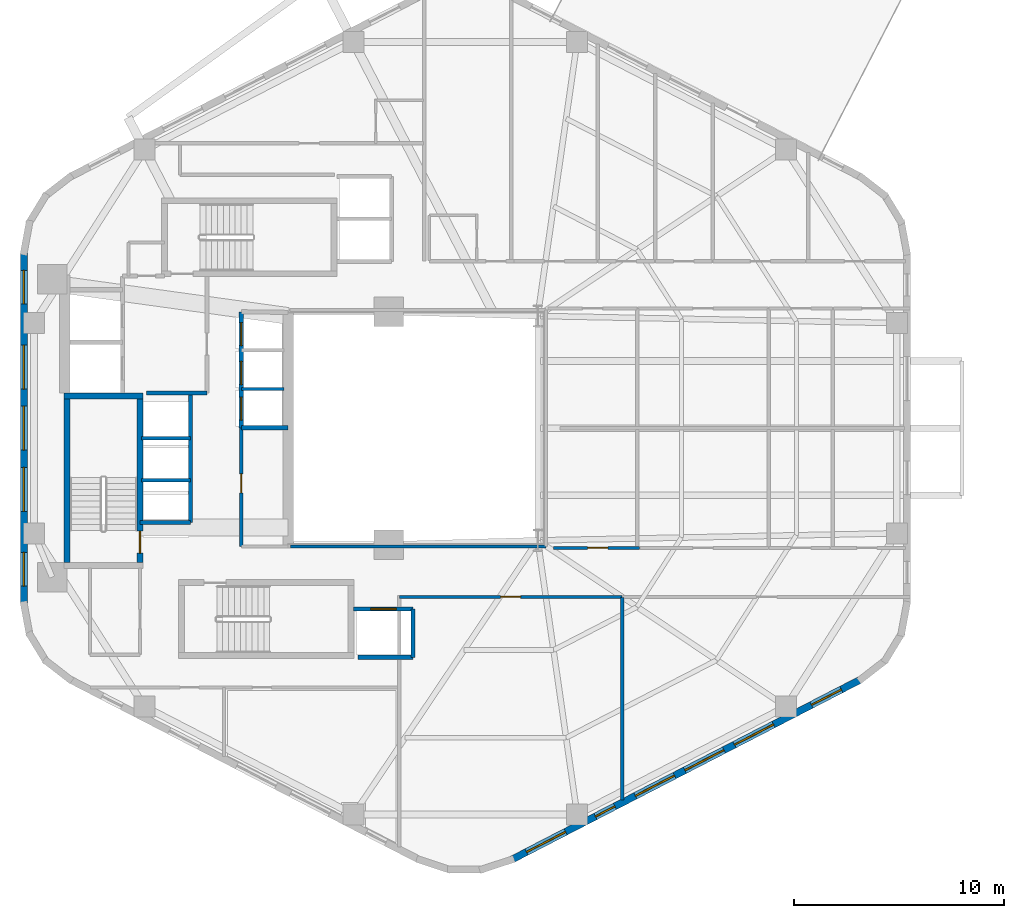
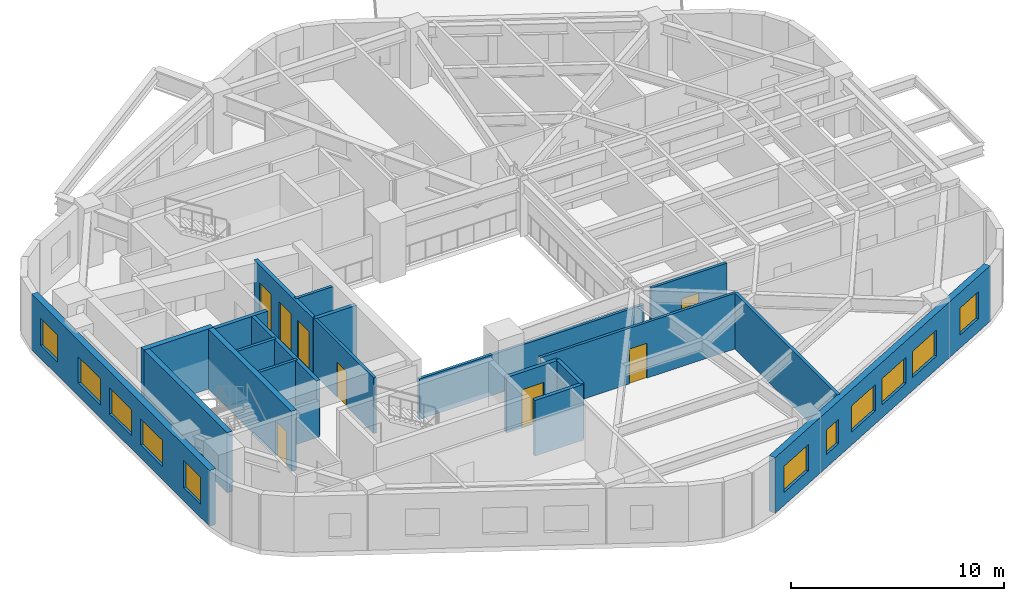
# One storey, part 3 of 8: 21 walls, 11 windows, 8 doors, 19 openings.
"""IFC4 building model written with IfcOpenShell, lengths in metres."""

from ifc_helpers import new_model, si_unit, direction, frame, frame_2d, origin, place, context, subcontext, project, spatial, rectangle, extrude, material, layer, layer_set, type_object, element, fill, save


model = new_model("IFC4")

# Units and contexts
model_context = context("Model", 3, precision=1e-05, world=origin(), true_north=direction((0.0, 1.0)))
body_context = subcontext(model_context, "Body", "Model", "MODEL_VIEW")
ifc_project = project(units=[si_unit("LENGTHUNIT", "METRE"), si_unit("AREAUNIT", "SQUARE_METRE"), si_unit("VOLUMEUNIT", "CUBIC_METRE"), si_unit("PLANEANGLEUNIT", "RADIAN"), si_unit("MASSUNIT", "GRAM", prefix="KILO"), si_unit("THERMODYNAMICTEMPERATUREUNIT", "KELVIN"), si_unit("POWERUNIT", "WATT")], contexts=[model_context])

# Site, building, storey
site_placement = place(None, origin())
site = spatial("IfcSite", under=ifc_project, at=site_placement, CompositionType="ELEMENT")
building_placement = place(site_placement, origin())
building = spatial("IfcBuilding", under=site, at=building_placement, Name="Skarre Station Tower", CompositionType="ELEMENT")
storey_placement = place(building_placement, frame((0.0, 0.0, 122.25)))
storey = spatial("IfcBuildingStorey", under=building, at=storey_placement, Name="L32", CompositionType="ELEMENT", Elevation=122.25)

# Wall, opening, door
ifc_material_1 = material(Name="Acoustic Steel-Stud Gypsum Partition", Category="steel")
ifc_layer_1 = layer(ifc_material_1, 0.14990234375, Name="Acoustic Steel-Stud Gypsum Partition")
ifc_layer_set_1 = layer_set([ifc_layer_1], Name="Acoustic Steel-Stud Gypsum Partition")
wall_type_1 = type_object("IfcWallType", Name="Fire-Rated Corridor Acoustic Partition 150", PredefinedType="PARTITIONING", material=ifc_layer_set_1)
wall_1_placement = place(storey_placement, frame((25.320068359375, 24.02001953125, 0.0), z_axis=(0.0, 0.0, 1.0), x_axis=(0.0, -1.0, 0.0)))
wall_1 = element("IfcWall", 1, at=wall_1_placement, inside=storey, type_object=wall_type_1, Name="L32 Interior Partition WL-PT-L32-RC1-W", PredefinedType="PARTITIONING", context=body_context, shape_type="SweptSolid", body=[
    extrude(rectangle(XDim=5.659912109375, YDim=0.14990234375, at=frame_2d((2.830078125, 0.0))), origin(), (0.0, 0.0, 1.0), 3.18994140625),
])
opening_1_placement = place(wall_1_placement, frame((2.199951171875, 0.0, 0.0)))
opening_1 = element("IfcOpeningElement", 2, at=opening_1_placement, cuts=wall_1, Name="Opening DR-SVC90", PredefinedType="OPENING", context=body_context, shape_type="SweptSolid", body=[
    extrude(rectangle(XDim=0.89990234375, YDim=2.0, at=frame_2d((0.449951171875, 1.0))), frame((0.0, 0.0849609375, 0.0), z_axis=(0.0, -1.0, 0.0), x_axis=(1.0, 0.0, 0.0)), (0.0, 0.0, 1.0), 0.169921875),
])
ifc_material_2 = material(Name="Powder-Coated Hollow-Metal Acoustic Fire Leaf", Category="steel")
door_type_1 = type_object("IfcDoorType", Name="Service & Riser Fire Door FD60 900x2100", OperationType="SINGLE_SWING_LEFT", PredefinedType="DOOR", material=ifc_material_2)
door_1_placement = place(opening_1_placement, origin())
door_1 = element("IfcDoor", 3, at=door_1_placement, inside=storey, type_object=door_type_1, Name="L32 Guest Pantry Door", OperationType="SINGLE_SWING_LEFT", OverallHeight=2.0, OverallWidth=0.89990234375, PredefinedType="DOOR", context=body_context, shape_type="SweptSolid", body=[
    extrude(rectangle(XDim=0.89990234375, YDim=2.0, at=frame_2d((0.449951171875, 1.0))), frame((0.0, 0.02490234375, 0.0), z_axis=(0.0, -1.0, 0.0), x_axis=(1.0, 0.0, 0.0)), (0.0, 0.0, 1.0), 0.050048828125),
])
fill(opening_1, door_1)

# Wall
wall_2_placement = place(storey_placement, frame((27.675048828125, 18.360107421875, 0.0), z_axis=(0.0, 0.0, 1.0), x_axis=(1.0, 0.0, 0.0)))
element("IfcWall", 4, at=wall_2_placement, inside=storey, type_object=wall_type_1, Name="L32 Interior Partition WL-PT-L32-ATRW-S", PredefinedType="PARTITIONING", context=body_context, shape_type="SweptSolid", body=[
    extrude(rectangle(XDim=12.1650390625, YDim=0.14990234375, at=frame_2d((6.08251953125, 0.0))), origin(), (0.0, 0.0, 1.0), 2.3310546875),
])

# Wall, opening, door
wall_3_placement = place(storey_placement, frame((44.31201171875, 18.2900390625, 0.0), z_axis=(0.0, 0.0, 1.0), x_axis=(-1.0, 0.0, 0.0)))
wall_3 = element("IfcWall", 5, at=wall_3_placement, inside=storey, type_object=wall_type_1, Name="L32 Interior Partition WL-PT-L32-EWS1-CW", PredefinedType="PARTITIONING", context=body_context, shape_type="SweptSolid", body=[
    extrude(rectangle(XDim=4.112060546875, YDim=0.14990234375, at=frame_2d((2.05615234375, 0.0))), origin(), (0.0, 0.0, 1.0), 3.18994140625),
])
opening_2_placement = place(wall_3_placement, frame((1.51806640625, 0.0, 0.0)))
opening_2 = element("IfcOpeningElement", 6, at=opening_2_placement, cuts=wall_3, Name="Opening DR-FD60", PredefinedType="OPENING", context=body_context, shape_type="SweptSolid", body=[
    extrude(rectangle(XDim=0.9599609375, YDim=2.0, at=frame_2d((0.47998046875, 1.0))), frame((0.0, 0.0849609375, 0.0), z_axis=(0.0, -1.0, 0.0), x_axis=(1.0, 0.0, 0.0)), (0.0, 0.0, 1.0), 0.169921875),
])
ifc_material_3 = material(Name="Nordic White-Oak Veneer Solid-Core Fire Leaf", Category="wood")
door_type_2 = type_object("IfcDoorType", Name="Corridor Suite Entry Fire Door FD60 960x2150", OperationType="SINGLE_SWING_LEFT", PredefinedType="DOOR", material=ifc_material_3)
door_2_placement = place(opening_2_placement, origin())
door_2 = element("IfcDoor", 7, at=door_2_placement, inside=storey, type_object=door_type_2, Name="L32 EWS1 Entry Door", OperationType="SINGLE_SWING_LEFT", OverallHeight=2.0, OverallWidth=0.9599609375, PredefinedType="DOOR", context=body_context, shape_type="SweptSolid", body=[
    extrude(rectangle(XDim=0.9599609375, YDim=2.0, at=frame_2d((0.47998046875, 1.0))), frame((0.0, 0.02490234375, 0.0), z_axis=(0.0, -1.0, 0.0), x_axis=(1.0, 0.0, 0.0)), (0.0, 0.0, 1.0), 0.050048828125),
])
fill(opening_2, door_2)

wall_4_placement = place(storey_placement, frame((32.85009765625, 15.9599609375, 0.0), z_axis=(0.0, 0.0, 1.0), x_axis=(1.0, 0.0, 0.0)))
wall_4 = element("IfcWall", 8, at=wall_4_placement, inside=storey, type_object=wall_type_1, Name="L32 Interior Partition WL-PT-L32-SW1-CW", PredefinedType="PARTITIONING", context=body_context, shape_type="SweptSolid", body=[
    extrude(rectangle(XDim=10.61083984375, YDim=0.14990234375, at=frame_2d((5.305419921875, 0.0))), origin(), (0.0, 0.0, 1.0), 3.18994140625),
])
opening_3_placement = place(wall_4_placement, frame((4.825927734375, 0.0, 0.0)))
opening_3 = element("IfcOpeningElement", 9, at=opening_3_placement, cuts=wall_4, Name="Opening DR-FD60", PredefinedType="OPENING", context=body_context, shape_type="SweptSolid", body=[
    extrude(rectangle(XDim=0.9599609375, YDim=2.0, at=frame_2d((0.47998046875, 1.0))), frame((0.0, 0.0849609375, 0.0), z_axis=(0.0, -1.0, 0.0), x_axis=(1.0, 0.0, 0.0)), (0.0, 0.0, 1.0), 0.169921875),
])
door_3_placement = place(opening_3_placement, origin())
door_3 = element("IfcDoor", 10, at=door_3_placement, inside=storey, type_object=door_type_2, Name="L32 SW1 Entry Door", OperationType="SINGLE_SWING_LEFT", OverallHeight=2.0, OverallWidth=0.9599609375, PredefinedType="DOOR", context=body_context, shape_type="SweptSolid", body=[
    extrude(rectangle(XDim=0.9599609375, YDim=2.0, at=frame_2d((0.47998046875, 1.0))), frame((0.0, 0.02490234375, 0.0), z_axis=(0.0, -1.0, 0.0), x_axis=(1.0, 0.0, 0.0)), (0.0, 0.0, 1.0), 0.050048828125),
])
fill(opening_3, door_3)

# Wall, openings, windows
ifc_material_4 = material(Name="Precast concrete C45/55", Category="concrete")
ifc_layer_2 = layer(ifc_material_4, 0.340087890625, Name="Precast concrete C45/55")
ifc_layer_set_2 = layer_set([ifc_layer_2], Name="Precast concrete C45/55")
wall_type_2 = type_object("IfcWallType", Name="Nordic Honed Precast Facet Wall 340", PredefinedType="STANDARD", material=ifc_layer_set_2)
wall_5_placement = place(storey_placement, frame((14.951904296875, 15.64794921875, 0.0), z_axis=(0.0, 0.0, 1.0), x_axis=(0.0, 1.0, 0.0)))
wall_5 = element("IfcWall", 11, at=wall_5_placement, inside=storey, type_object=wall_type_2, Name="L32 Facet 2 Nordic Precast Masonry Wall", PredefinedType="STANDARD", context=body_context, shape_type="SweptSolid", body=[
    extrude(rectangle(XDim=16.7041015625, YDim=0.340087890625, at=frame_2d((8.35205078125, 0.0))), origin(), (0.0, 0.0, 1.0), 3.18994140625),
])
opening_4_placement = place(wall_5_placement, frame((0.825927734375, 0.0, 0.75)))
opening_4 = element("IfcOpeningElement", 12, at=opening_4_placement, cuts=wall_5, Name="Opening WN-Z2A", PredefinedType="OPENING", context=body_context, shape_type="SweptSolid", body=[
    extrude(rectangle(XDim=1.60009765625, YDim=1.550048828125, at=frame_2d((0.800048828125, 0.77490234375))), frame((0.0, 0.179931640625, 0.0), z_axis=(0.0, -1.0, 0.0), x_axis=(1.0, 0.0, 0.0)), (0.0, 0.0, 1.0), 0.360107421875),
])
opening_5_placement = place(wall_5_placement, frame((4.387939453125, 0.0, 0.75)))
opening_5 = element("IfcOpeningElement", 13, at=opening_5_placement, cuts=wall_5, Name="Opening WN-Z2B", PredefinedType="OPENING", context=body_context, shape_type="SweptSolid", body=[
    extrude(rectangle(XDim=2.10009765625, YDim=1.5, at=frame_2d((1.050048828125, 0.75))), frame((0.0, 0.179931640625, 0.0), z_axis=(0.0, -1.0, 0.0), x_axis=(1.0, 0.0, 0.0)), (0.0, 0.0, 1.0), 0.360107421875),
])
opening_6_placement = place(wall_5_placement, frame((7.302001953125, 0.0, 0.75)))
opening_6 = element("IfcOpeningElement", 14, at=opening_6_placement, cuts=wall_5, Name="Opening WN-Z2B", PredefinedType="OPENING", context=body_context, shape_type="SweptSolid", body=[
    extrude(rectangle(XDim=2.10009765625, YDim=1.5, at=frame_2d((1.050048828125, 0.75))), frame((0.0, 0.179931640625, 0.0), z_axis=(0.0, -1.0, 0.0), x_axis=(1.0, 0.0, 0.0)), (0.0, 0.0, 1.0), 0.360107421875),
])
opening_7_placement = place(wall_5_placement, frame((10.216064453125, 0.0, 0.75)))
opening_7 = element("IfcOpeningElement", 15, at=opening_7_placement, cuts=wall_5, Name="Opening WN-Z2B", PredefinedType="OPENING", context=body_context, shape_type="SweptSolid", body=[
    extrude(rectangle(XDim=2.10009765625, YDim=1.5, at=frame_2d((1.050048828125, 0.75))), frame((0.0, 0.179931640625, 0.0), z_axis=(0.0, -1.0, 0.0), x_axis=(1.0, 0.0, 0.0)), (0.0, 0.0, 1.0), 0.360107421875),
])
opening_8_placement = place(wall_5_placement, frame((14.278076171875, 0.0, 0.75)))
opening_8 = element("IfcOpeningElement", 16, at=opening_8_placement, cuts=wall_5, Name="Opening WN-Z2A", PredefinedType="OPENING", context=body_context, shape_type="SweptSolid", body=[
    extrude(rectangle(XDim=1.60009765625, YDim=1.550048828125, at=frame_2d((0.800048828125, 0.77490234375))), frame((0.0, 0.179931640625, 0.0), z_axis=(0.0, -1.0, 0.0), x_axis=(1.0, 0.0, 0.0)), (0.0, 0.0, 1.0), 0.360107421875),
])
ifc_material_5 = material(Name="Low-Iron Triple Glazing with Bronze Anodized Frame", Category="glass")
window_type_1 = type_object("IfcWindowType", Name="Nordic Residential Tall Window 1600x1550", PartitioningType="SINGLE_PANEL", PredefinedType="WINDOW", material=ifc_material_5)
window_1_placement = place(opening_4_placement, origin())
window_1 = element("IfcWindow", 17, at=window_1_placement, inside=storey, type_object=window_type_1, Name="L32 Facade Window WL-FAC-L32-F2-1", OverallHeight=1.550048828125, OverallWidth=1.60009765625, PartitioningType="SINGLE_PANEL", PredefinedType="WINDOW", context=body_context, shape_type="SweptSolid", body=[
    extrude(rectangle(XDim=1.60009765625, YDim=1.550048828125, at=frame_2d((0.800048828125, 0.77490234375))), frame((0.0, 0.030029296875, 0.0), z_axis=(0.0, -1.0, 0.0), x_axis=(1.0, 0.0, 0.0)), (0.0, 0.0, 1.0), 0.06005859375),
])
fill(opening_4, window_1)
window_2_placement = place(opening_8_placement, origin())
window_2 = element("IfcWindow", 18, at=window_2_placement, inside=storey, type_object=window_type_1, Name="L32 Facade Window WL-FAC-L32-F2-5", OverallHeight=1.550048828125, OverallWidth=1.60009765625, PartitioningType="SINGLE_PANEL", PredefinedType="WINDOW", context=body_context, shape_type="SweptSolid", body=[
    extrude(rectangle(XDim=1.60009765625, YDim=1.550048828125, at=frame_2d((0.800048828125, 0.77490234375))), frame((0.0, 0.030029296875, 0.0), z_axis=(0.0, -1.0, 0.0), x_axis=(1.0, 0.0, 0.0)), (0.0, 0.0, 1.0), 0.06005859375),
])
fill(opening_8, window_2)
window_type_2 = type_object("IfcWindowType", Name="Nordic Residential Twin Window 2100x1500", PartitioningType="SINGLE_PANEL", PredefinedType="WINDOW", material=ifc_material_5)
window_3_placement = place(opening_5_placement, origin())
window_3 = element("IfcWindow", 19, at=window_3_placement, inside=storey, type_object=window_type_2, Name="L32 Facade Window WL-FAC-L32-F2-2", OverallHeight=1.5, OverallWidth=2.10009765625, PartitioningType="SINGLE_PANEL", PredefinedType="WINDOW", context=body_context, shape_type="SweptSolid", body=[
    extrude(rectangle(XDim=2.10009765625, YDim=1.5, at=frame_2d((1.050048828125, 0.75))), frame((0.0, 0.030029296875, 0.0), z_axis=(0.0, -1.0, 0.0), x_axis=(1.0, 0.0, 0.0)), (0.0, 0.0, 1.0), 0.06005859375),
])
fill(opening_5, window_3)
window_4_placement = place(opening_6_placement, origin())
window_4 = element("IfcWindow", 20, at=window_4_placement, inside=storey, type_object=window_type_2, Name="L32 Facade Window WL-FAC-L32-F2-3", OverallHeight=1.5, OverallWidth=2.10009765625, PartitioningType="SINGLE_PANEL", PredefinedType="WINDOW", context=body_context, shape_type="SweptSolid", body=[
    extrude(rectangle(XDim=2.10009765625, YDim=1.5, at=frame_2d((1.050048828125, 0.75))), frame((0.0, 0.030029296875, 0.0), z_axis=(0.0, -1.0, 0.0), x_axis=(1.0, 0.0, 0.0)), (0.0, 0.0, 1.0), 0.06005859375),
])
fill(opening_6, window_4)
window_5_placement = place(opening_7_placement, origin())
window_5 = element("IfcWindow", 21, at=window_5_placement, inside=storey, type_object=window_type_2, Name="L32 Facade Window WL-FAC-L32-F2-4", OverallHeight=1.5, OverallWidth=2.10009765625, PartitioningType="SINGLE_PANEL", PredefinedType="WINDOW", context=body_context, shape_type="SweptSolid", body=[
    extrude(rectangle(XDim=2.10009765625, YDim=1.5, at=frame_2d((1.050048828125, 0.75))), frame((0.0, 0.030029296875, 0.0), z_axis=(0.0, -1.0, 0.0), x_axis=(1.0, 0.0, 0.0)), (0.0, 0.0, 1.0), 0.06005859375),
])
fill(opening_7, window_5)

wall_6_placement = place(storey_placement, frame((54.8310546875, 12.010009765625, 0.0), z_axis=(0.0, 0.0, 1.0), x_axis=(-0.888613612362, -0.458656568606, 0.0)))
wall_6 = element("IfcWall", 22, at=wall_6_placement, inside=storey, type_object=wall_type_2, Name="L32 Facet 4 Nordic Precast Masonry Wall", PredefinedType="STANDARD", context=body_context, shape_type="SweptSolid", body=[
    extrude(rectangle(XDim=18.680908203125, YDim=0.340087890625, at=frame_2d((9.34033203125, 0.0))), origin(), (0.0, 0.0, 1.0), 3.18994140625),
])
opening_9_placement = place(wall_6_placement, frame((1.02294921875, 0.0, 0.75)))
opening_9 = element("IfcOpeningElement", 23, at=opening_9_placement, cuts=wall_6, Name="Opening WN-Z2A", PredefinedType="OPENING", context=body_context, shape_type="SweptSolid", body=[
    extrude(rectangle(XDim=1.60009765625, YDim=1.550048828125, at=frame_2d((0.800048828125, 0.77490234375))), frame((0.0, 0.179931640625, 0.0), z_axis=(0.0, -1.0, 0.0), x_axis=(1.0, 0.0, 0.0)), (0.0, 0.0, 1.0), 0.360107421875),
])
opening_10_placement = place(wall_6_placement, frame((4.655029296875, 0.0, 0.75)))
opening_10 = element("IfcOpeningElement", 24, at=opening_10_placement, cuts=wall_6, Name="Opening WN-Z2B", PredefinedType="OPENING", context=body_context, shape_type="SweptSolid", body=[
    extrude(rectangle(XDim=2.10009765625, YDim=1.5, at=frame_2d((1.050048828125, 0.75))), frame((0.0, 0.179931640625, 0.0), z_axis=(0.0, -1.0, 0.0), x_axis=(1.0, 0.0, 0.0)), (0.0, 0.0, 1.0), 0.360107421875),
])
opening_11_placement = place(wall_6_placement, frame((7.31298828125, 0.0, 0.75)))
opening_11 = element("IfcOpeningElement", 25, at=opening_11_placement, cuts=wall_6, Name="Opening WN-Z2B", PredefinedType="OPENING", context=body_context, shape_type="SweptSolid", body=[
    extrude(rectangle(XDim=2.10009765625, YDim=1.5, at=frame_2d((1.050048828125, 0.75))), frame((0.0, 0.179931640625, 0.0), z_axis=(0.0, -1.0, 0.0), x_axis=(1.0, 0.0, 0.0)), (0.0, 0.0, 1.0), 0.360107421875),
])
opening_12_placement = place(wall_6_placement, frame((9.970947265625, 0.0, 0.75)))
opening_12 = element("IfcOpeningElement", 26, at=opening_12_placement, cuts=wall_6, Name="Opening WN-Z2B", PredefinedType="OPENING", context=body_context, shape_type="SweptSolid", body=[
    extrude(rectangle(XDim=2.10009765625, YDim=1.5, at=frame_2d((1.050048828125, 0.75))), frame((0.0, 0.179931640625, 0.0), z_axis=(0.0, -1.0, 0.0), x_axis=(1.0, 0.0, 0.0)), (0.0, 0.0, 1.0), 0.360107421875),
])
opening_13_placement = place(wall_6_placement, frame((13.1650390625, 0.0, 0.75)))
opening_13 = element("IfcOpeningElement", 27, at=opening_13_placement, cuts=wall_6, Name="Opening WN-SLT", PredefinedType="OPENING", context=body_context, shape_type="SweptSolid", body=[
    extrude(rectangle(XDim=1.050048828125, YDim=1.39990234375, at=frame_2d((0.52490234375, 0.699951171875))), frame((0.0, 0.179931640625, 0.0), z_axis=(0.0, -1.0, 0.0), x_axis=(1.0, 0.0, 0.0)), (0.0, 0.0, 1.0), 0.360107421875),
])
opening_14_placement = place(wall_6_placement, frame((15.80810546875, 0.0, 0.75)))
opening_14 = element("IfcOpeningElement", 28, at=opening_14_placement, cuts=wall_6, Name="Opening WN-Z2B", PredefinedType="OPENING", context=body_context, shape_type="SweptSolid", body=[
    extrude(rectangle(XDim=2.10009765625, YDim=1.5, at=frame_2d((1.050048828125, 0.75))), frame((0.0, 0.179931640625, 0.0), z_axis=(0.0, -1.0, 0.0), x_axis=(1.0, 0.0, 0.0)), (0.0, 0.0, 1.0), 0.360107421875),
])
window_type_3 = type_object("IfcWindowType", Name="Nordic Corner Slot Window 1050x1400", PartitioningType="SINGLE_PANEL", PredefinedType="WINDOW", material=ifc_material_5)
window_6_placement = place(opening_13_placement, origin())
window_6 = element("IfcWindow", 29, at=window_6_placement, inside=storey, type_object=window_type_3, Name="L32 Facade Window WL-FAC-L32-F4-5", OverallHeight=1.39990234375, OverallWidth=1.050048828125, PartitioningType="SINGLE_PANEL", PredefinedType="WINDOW", context=body_context, shape_type="SweptSolid", body=[
    extrude(rectangle(XDim=1.050048828125, YDim=1.39990234375, at=frame_2d((0.52490234375, 0.699951171875))), frame((0.0, 0.030029296875, 0.0), z_axis=(0.0, -1.0, 0.0), x_axis=(1.0, 0.0, 0.0)), (0.0, 0.0, 1.0), 0.06005859375),
])
fill(opening_13, window_6)
window_7_placement = place(opening_9_placement, origin())
window_7 = element("IfcWindow", 30, at=window_7_placement, inside=storey, type_object=window_type_1, Name="L32 Facade Window WL-FAC-L32-F4-1", OverallHeight=1.550048828125, OverallWidth=1.60009765625, PartitioningType="SINGLE_PANEL", PredefinedType="WINDOW", context=body_context, shape_type="SweptSolid", body=[
    extrude(rectangle(XDim=1.60009765625, YDim=1.550048828125, at=frame_2d((0.800048828125, 0.77490234375))), frame((0.0, 0.030029296875, 0.0), z_axis=(0.0, -1.0, 0.0), x_axis=(1.0, 0.0, 0.0)), (0.0, 0.0, 1.0), 0.06005859375),
])
fill(opening_9, window_7)
window_8_placement = place(opening_10_placement, origin())
window_8 = element("IfcWindow", 31, at=window_8_placement, inside=storey, type_object=window_type_2, Name="L32 Facade Window WL-FAC-L32-F4-2", OverallHeight=1.5, OverallWidth=2.10009765625, PartitioningType="SINGLE_PANEL", PredefinedType="WINDOW", context=body_context, shape_type="SweptSolid", body=[
    extrude(rectangle(XDim=2.10009765625, YDim=1.5, at=frame_2d((1.050048828125, 0.75))), frame((0.0, 0.030029296875, 0.0), z_axis=(0.0, -1.0, 0.0), x_axis=(1.0, 0.0, 0.0)), (0.0, 0.0, 1.0), 0.06005859375),
])
fill(opening_10, window_8)
window_9_placement = place(opening_11_placement, origin())
window_9 = element("IfcWindow", 32, at=window_9_placement, inside=storey, type_object=window_type_2, Name="L32 Facade Window WL-FAC-L32-F4-3", OverallHeight=1.5, OverallWidth=2.10009765625, PartitioningType="SINGLE_PANEL", PredefinedType="WINDOW", context=body_context, shape_type="SweptSolid", body=[
    extrude(rectangle(XDim=2.10009765625, YDim=1.5, at=frame_2d((1.050048828125, 0.75))), frame((0.0, 0.030029296875, 0.0), z_axis=(0.0, -1.0, 0.0), x_axis=(1.0, 0.0, 0.0)), (0.0, 0.0, 1.0), 0.06005859375),
])
fill(opening_11, window_9)
window_10_placement = place(opening_12_placement, origin())
window_10 = element("IfcWindow", 33, at=window_10_placement, inside=storey, type_object=window_type_2, Name="L32 Facade Window WL-FAC-L32-F4-4", OverallHeight=1.5, OverallWidth=2.10009765625, PartitioningType="SINGLE_PANEL", PredefinedType="WINDOW", context=body_context, shape_type="SweptSolid", body=[
    extrude(rectangle(XDim=2.10009765625, YDim=1.5, at=frame_2d((1.050048828125, 0.75))), frame((0.0, 0.030029296875, 0.0), z_axis=(0.0, -1.0, 0.0), x_axis=(1.0, 0.0, 0.0)), (0.0, 0.0, 1.0), 0.06005859375),
])
fill(opening_12, window_10)
window_11_placement = place(opening_14_placement, origin())
window_11 = element("IfcWindow", 34, at=window_11_placement, inside=storey, type_object=window_type_2, Name="L32 Facade Window WL-FAC-L32-F4-6", OverallHeight=1.5, OverallWidth=2.10009765625, PartitioningType="SINGLE_PANEL", PredefinedType="WINDOW", context=body_context, shape_type="SweptSolid", body=[
    extrude(rectangle(XDim=2.10009765625, YDim=1.5, at=frame_2d((1.050048828125, 0.75))), frame((0.0, 0.030029296875, 0.0), z_axis=(0.0, -1.0, 0.0), x_axis=(1.0, 0.0, 0.0)), (0.0, 0.0, 1.0), 0.06005859375),
])
fill(opening_14, window_11)

# Walls
ifc_material_6 = material(Name="Concrete C50/60", Category="concrete")
ifc_layer_3 = layer(ifc_material_6, 0.280029296875, Name="Concrete C50/60")
ifc_layer_set_3 = layer_set([ifc_layer_3], Name="Concrete C50/60")
wall_type_3 = type_object("IfcWallType", Name="RC Core Shear Wall 280", PredefinedType="SHEAR", material=ifc_layer_set_3)
wall_7_placement = place(storey_placement, frame((20.6298828125, 25.5400390625, 0.0), z_axis=(0.0, 0.0, 1.0), x_axis=(-1.0, 0.0, 0.0)))
element("IfcWall", 35, at=wall_7_placement, inside=storey, type_object=wall_type_3, Name="L32 Stair ST-1 North Shear Wall", PredefinedType="SHEAR", context=body_context, shape_type="SweptSolid", body=[
    extrude(rectangle(XDim=3.759765625, YDim=0.280029296875, at=frame_2d((1.8798828125, 0.0))), origin(), (0.0, 0.0, 1.0), 3.449951171875),
])
wall_8_placement = place(storey_placement, frame((17.010009765625, 25.39990234375, 0.0), z_axis=(0.0, 0.0, 1.0), x_axis=(0.0, -1.0, 0.0)))
element("IfcWall", 36, at=wall_8_placement, inside=storey, type_object=wall_type_3, Name="L32 Stair ST-1 West Shear Wall", PredefinedType="SHEAR", context=body_context, shape_type="SweptSolid", body=[
    extrude(rectangle(XDim=7.7998046875, YDim=0.280029296875, at=frame_2d((3.89990234375, 0.0))), origin(), (0.0, 0.0, 1.0), 3.449951171875),
])

# Wall, opening, door
wall_9_placement = place(storey_placement, frame((20.489990234375, 17.60009765625, 0.0), z_axis=(0.0, 0.0, 1.0), x_axis=(0.0, 1.0, 0.0)))
wall_9 = element("IfcWall", 37, at=wall_9_placement, inside=storey, type_object=wall_type_3, Name="L32 Stair ST-1 East Shear Wall", PredefinedType="SHEAR", context=body_context, shape_type="SweptSolid", body=[
    extrude(rectangle(XDim=7.7998046875, YDim=0.280029296875, at=frame_2d((3.89990234375, 0.0))), origin(), (0.0, 0.0, 1.0), 3.449951171875),
])
opening_15_placement = place(wall_9_placement, frame((0.43994140625, 0.0, 0.0)))
opening_15 = element("IfcOpeningElement", 38, at=opening_15_placement, cuts=wall_9, Name="Opening DR-FD90", PredefinedType="OPENING", context=body_context, shape_type="SweptSolid", body=[
    extrude(rectangle(XDim=1.050048828125, YDim=2.0, at=frame_2d((0.52490234375, 1.0))), frame((0.0, 0.14990234375, 0.0), z_axis=(0.0, -1.0, 0.0), x_axis=(1.0, 0.0, 0.0)), (0.0, 0.0, 1.0), 0.300048828125),
])
ifc_material_7 = material(Name="Fire-Rated Insulated Steel Frame & Timber Core Leaf", Category="steel")
door_type_3 = type_object("IfcDoorType", Name="Stair & FSAE Lobby Fire Door FD90 1050x2150", OperationType="SINGLE_SWING_RIGHT", PredefinedType="DOOR", material=ifc_material_7)
door_4_placement = place(opening_15_placement, origin())
door_4 = element("IfcDoor", 39, at=door_4_placement, inside=storey, type_object=door_type_3, Name="L32 Stair ST-1 Exit Door", OperationType="SINGLE_SWING_RIGHT", OverallHeight=2.0, OverallWidth=1.050048828125, PredefinedType="DOOR", context=body_context, shape_type="SweptSolid", body=[
    extrude(rectangle(XDim=1.050048828125, YDim=2.0, at=frame_2d((0.52490234375, 1.0))), frame((0.0, 0.02490234375, 0.0), z_axis=(0.0, -1.0, 0.0), x_axis=(1.0, 0.0, 0.0)), (0.0, 0.0, 1.0), 0.050048828125),
])
fill(opening_15, door_4)

# Wall
ifc_material_8 = material(Name="Gypsum Concrete Shaft Assembly C30/37", Category="concrete")
ifc_layer_4 = layer(ifc_material_8, 0.199951171875, Name="Gypsum Concrete Shaft Assembly C30/37")
ifc_layer_set_4 = layer_set([ifc_layer_4], Name="Gypsum Concrete Shaft Assembly C30/37")
wall_type_4 = type_object("IfcWallType", Name="Shaft & Core Fire Partition 200", PredefinedType="PARTITIONING", material=ifc_layer_set_4)
wall_10_placement = place(storey_placement, frame((20.79296875, 25.679931640625, 0.0), z_axis=(0.0, 0.0, 1.0), x_axis=(1.0, 0.0, 0.0)))
element("IfcWall", 40, at=wall_10_placement, inside=storey, type_object=wall_type_4, Name="L32 Interior Partition WL-PT-L32-FSAE-S", PredefinedType="PARTITIONING", context=body_context, shape_type="SweptSolid", body=[
    extrude(rectangle(XDim=2.886962890625, YDim=0.199951171875, at=frame_2d((1.443359375, 0.0))), origin(), (0.0, 0.0, 1.0), 3.18994140625),
])

# Wall, opening, door
wall_11_placement = place(storey_placement, frame((33.5, 15.3798828125, 0.0), z_axis=(0.0, 0.0, 1.0), x_axis=(-1.0, 0.0, 0.0)))
wall_11 = element("IfcWall", 41, at=wall_11_placement, inside=storey, type_object=wall_type_4, Name="L32 Interior Partition WL-PT-L32-SV1-N", PredefinedType="PARTITIONING", context=body_context, shape_type="SweptSolid", body=[
    extrude(rectangle(XDim=2.820068359375, YDim=0.199951171875, at=frame_2d((1.41015625, 0.0))), origin(), (0.0, 0.0, 1.0), 3.18994140625),
])
opening_16_placement = place(wall_11_placement, frame((0.800048828125, 0.0, 0.0)))
opening_16 = element("IfcOpeningElement", 42, at=opening_16_placement, cuts=wall_11, Name="Opening LD-SV1", PredefinedType="OPENING", context=body_context, shape_type="SweptSolid", body=[
    extrude(rectangle(XDim=1.199951171875, YDim=2.199951171875, at=frame_2d((0.60009765625, 1.10009765625))), frame((0.0, 0.10986328125, 0.0), z_axis=(0.0, -1.0, 0.0), x_axis=(1.0, 0.0, 0.0)), (0.0, 0.0, 1.0), 0.219970703125),
])
ifc_material_9 = material(Name="Heavy-Gauge Brushed Stainless Steel Sliding Leaves", Category="steel")
door_type_4 = type_object("IfcDoorType", Name="Service Elevator Wide Sliding Landing Door 1200x2200", OperationType="SLIDING_TO_RIGHT", PredefinedType="DOOR", material=ifc_material_9)
door_5_placement = place(opening_16_placement, origin())
door_5 = element("IfcDoor", 43, at=door_5_placement, inside=storey, type_object=door_type_4, Name="L32 Service Lift LF-SV1 Landing Door", OperationType="SLIDING_TO_RIGHT", OverallHeight=2.199951171875, OverallWidth=1.199951171875, PredefinedType="DOOR", context=body_context, shape_type="SweptSolid", body=[
    extrude(rectangle(XDim=1.199951171875, YDim=2.199951171875, at=frame_2d((0.60009765625, 1.10009765625))), frame((0.0, 0.02490234375, 0.0), z_axis=(0.0, -1.0, 0.0), x_axis=(1.0, 0.0, 0.0)), (0.0, 0.0, 1.0), 0.050048828125),
])
fill(opening_16, door_5)

# Walls
wall_12_placement = place(storey_placement, frame((33.5, 13.080078125, 0.0), z_axis=(0.0, 0.0, 1.0), x_axis=(0.0, 1.0, 0.0)))
element("IfcWall", 44, at=wall_12_placement, inside=storey, type_object=wall_type_4, Name="L32 Interior Partition WL-PT-L32-SV1-E", PredefinedType="PARTITIONING", context=body_context, shape_type="SweptSolid", body=[
    extrude(rectangle(XDim=2.2998046875, YDim=0.199951171875, at=frame_2d((1.14990234375, 0.0))), origin(), (0.0, 0.0, 1.0), 3.18994140625),
])
wall_13_placement = place(storey_placement, frame((30.87890625, 13.080078125, 0.0), z_axis=(0.0, 0.0, 1.0), x_axis=(1.0, 0.0, 0.0)))
element("IfcWall", 45, at=wall_13_placement, inside=storey, type_object=wall_type_4, Name="L32 Interior Partition WL-PT-L32-SV1-S", PredefinedType="PARTITIONING", context=body_context, shape_type="SweptSolid", body=[
    extrude(rectangle(XDim=2.62109375, YDim=0.199951171875, at=frame_2d((1.310546875, 0.0))), origin(), (0.0, 0.0, 1.0), 3.18994140625),
])
wall_14_placement = place(storey_placement, frame((22.89990234375, 19.5, 0.0), z_axis=(0.0, 0.0, 1.0), x_axis=(0.0, 1.0, 0.0)))
element("IfcWall", 46, at=wall_14_placement, inside=storey, type_object=wall_type_4, Name="L32 Interior Partition WL-PT-L32-B3-E", PredefinedType="PARTITIONING", context=body_context, shape_type="SweptSolid", body=[
    extrude(rectangle(XDim=6.0849609375, YDim=0.199951171875, at=frame_2d((3.04248046875, 0.0))), origin(), (0.0, 0.0, 1.0), 3.18994140625),
])
wall_15_placement = place(storey_placement, frame((20.489990234375, 19.5, 0.0), z_axis=(0.0, 0.0, 1.0), x_axis=(1.0, 0.0, 0.0)))
element("IfcWall", 47, at=wall_15_placement, inside=storey, type_object=wall_type_4, Name="L32 Interior Partition WL-PT-L32-B3-S", PredefinedType="PARTITIONING", context=body_context, shape_type="SweptSolid", body=[
    extrude(rectangle(XDim=2.409912109375, YDim=0.199951171875, at=frame_2d((1.205078125, 0.0))), origin(), (0.0, 0.0, 1.0), 2.090087890625),
])
for number, where, z_axis, x_axis, name in (
    (48, (20.550048828125, 21.52001953125, 0.0), (0.0, 0.0, 1.0), (1.0, 0.0, 0.0), "L32 Interior Partition WL-PT-L32-B3-D1"),
    (49, (20.550048828125, 23.52001953125, 0.0), (0.0, 0.0, 1.0), (1.0, 0.0, 0.0), "L32 Interior Partition WL-PT-L32-B3-D2"),
):
    element("IfcWall", number, at=place(storey_placement, frame(where, z_axis=z_axis, x_axis=x_axis)), inside=storey, type_object=wall_type_4, Name=name, PredefinedType="PARTITIONING", context=body_context, shape_type="SweptSolid", body=[
        extrude(rectangle(XDim=2.349853515625, YDim=0.159912109375, at=frame_2d((1.1748046875, 0.0))), origin(), (0.0, 0.0, 1.0), 3.18994140625),
    ])

# Wall, openings, doors
wall_16_placement = place(storey_placement, frame((25.320068359375, 29.550048828125, 0.0), z_axis=(0.0, 0.0, 1.0), x_axis=(0.0, -1.0, 0.0)))
wall_16 = element("IfcWall", 50, at=wall_16_placement, inside=storey, type_object=wall_type_4, Name="L32 Interior Partition WL-PT-L32-B2-W", PredefinedType="PARTITIONING", context=body_context, shape_type="SweptSolid", body=[
    extrude(rectangle(XDim=5.530029296875, YDim=0.199951171875, at=frame_2d((2.76513671875, 0.0))), origin(), (0.0, 0.0, 1.0), 3.18994140625),
])
opening_17_placement = place(wall_16_placement, frame((0.52001953125, 0.0, 0.0)))
opening_17 = element("IfcOpeningElement", 51, at=opening_17_placement, cuts=wall_16, Name="Opening LD-P6", PredefinedType="OPENING", context=body_context, shape_type="SweptSolid", body=[
    extrude(rectangle(XDim=1.10009765625, YDim=2.199951171875, at=frame_2d((0.550048828125, 1.10009765625))), frame((0.0, 0.10986328125, 0.0), z_axis=(0.0, -1.0, 0.0), x_axis=(1.0, 0.0, 0.0)), (0.0, 0.0, 1.0), 0.219970703125),
])
opening_18_placement = place(wall_16_placement, frame((2.3701171875, 0.0, 0.0)))
opening_18 = element("IfcOpeningElement", 52, at=opening_18_placement, cuts=wall_16, Name="Opening LD-P5", PredefinedType="OPENING", context=body_context, shape_type="SweptSolid", body=[
    extrude(rectangle(XDim=1.10009765625, YDim=2.199951171875, at=frame_2d((0.550048828125, 1.10009765625))), frame((0.0, 0.10986328125, 0.0), z_axis=(0.0, -1.0, 0.0), x_axis=(1.0, 0.0, 0.0)), (0.0, 0.0, 1.0), 0.219970703125),
])
opening_19_placement = place(wall_16_placement, frame((4.070068359375, 0.0, 0.0)))
opening_19 = element("IfcOpeningElement", 53, at=opening_19_placement, cuts=wall_16, Name="Opening LD-P4", PredefinedType="OPENING", context=body_context, shape_type="SweptSolid", body=[
    extrude(rectangle(XDim=1.10009765625, YDim=2.199951171875, at=frame_2d((0.550048828125, 1.10009765625))), frame((0.0, 0.10986328125, 0.0), z_axis=(0.0, -1.0, 0.0), x_axis=(1.0, 0.0, 0.0)), (0.0, 0.0, 1.0), 0.219970703125),
])
ifc_material_10 = material(Name="Brushed Bronze Stainless Steel Sliding Leaves", Category="steel")
door_type_5 = type_object("IfcDoorType", Name="Passenger Elevator Center-Parting Sliding Door 1100x2200", OperationType="SLIDING_TO_LEFT", PredefinedType="DOOR", material=ifc_material_10)
door_6_placement = place(opening_17_placement, origin())
door_6 = element("IfcDoor", 54, at=door_6_placement, inside=storey, type_object=door_type_5, Name="L32 Passenger Lift LF-P6 Landing Door", OperationType="SLIDING_TO_LEFT", OverallHeight=2.199951171875, OverallWidth=1.10009765625, PredefinedType="DOOR", context=body_context, shape_type="SweptSolid", body=[
    extrude(rectangle(XDim=1.10009765625, YDim=2.199951171875, at=frame_2d((0.550048828125, 1.10009765625))), frame((0.0, 0.02490234375, 0.0), z_axis=(0.0, -1.0, 0.0), x_axis=(1.0, 0.0, 0.0)), (0.0, 0.0, 1.0), 0.050048828125),
])
fill(opening_17, door_6)
door_7_placement = place(opening_18_placement, origin())
door_7 = element("IfcDoor", 55, at=door_7_placement, inside=storey, type_object=door_type_5, Name="L32 Passenger Lift LF-P5 Landing Door", OperationType="SLIDING_TO_LEFT", OverallHeight=2.199951171875, OverallWidth=1.10009765625, PredefinedType="DOOR", context=body_context, shape_type="SweptSolid", body=[
    extrude(rectangle(XDim=1.10009765625, YDim=2.199951171875, at=frame_2d((0.550048828125, 1.10009765625))), frame((0.0, 0.02490234375, 0.0), z_axis=(0.0, -1.0, 0.0), x_axis=(1.0, 0.0, 0.0)), (0.0, 0.0, 1.0), 0.050048828125),
])
fill(opening_18, door_7)
door_8_placement = place(opening_19_placement, origin())
door_8 = element("IfcDoor", 56, at=door_8_placement, inside=storey, type_object=door_type_5, Name="L32 Passenger Lift LF-P4 Landing Door", OperationType="SLIDING_TO_LEFT", OverallHeight=2.199951171875, OverallWidth=1.10009765625, PredefinedType="DOOR", context=body_context, shape_type="SweptSolid", body=[
    extrude(rectangle(XDim=1.10009765625, YDim=2.199951171875, at=frame_2d((0.550048828125, 1.10009765625))), frame((0.0, 0.02490234375, 0.0), z_axis=(0.0, -1.0, 0.0), x_axis=(1.0, 0.0, 0.0)), (0.0, 0.0, 1.0), 0.050048828125),
])
fill(opening_19, door_8)

# Walls
wall_17_placement = place(storey_placement, frame((25.320068359375, 24.02001953125, 0.0), z_axis=(0.0, 0.0, 1.0), x_axis=(1.0, 0.0, 0.0)))
element("IfcWall", 57, at=wall_17_placement, inside=storey, type_object=wall_type_4, Name="L32 Interior Partition WL-PT-L32-B2-S", PredefinedType="PARTITIONING", context=body_context, shape_type="SweptSolid", body=[
    extrude(rectangle(XDim=2.22998046875, YDim=0.199951171875, at=frame_2d((1.114990234375, 0.0))), origin(), (0.0, 0.0, 1.0), 3.18994140625),
])
wall_18_placement = place(storey_placement, frame((25.320068359375, 25.8701171875, 0.0), z_axis=(0.0, 0.0, 1.0), x_axis=(1.0, 0.0, 0.0)))
element("IfcWall", 58, at=wall_18_placement, inside=storey, type_object=wall_type_4, Name="L32 Interior Partition WL-PT-L32-B2-D258", PredefinedType="PARTITIONING", context=body_context, shape_type="SweptSolid", body=[
    extrude(rectangle(XDim=2.030029296875, YDim=0.159912109375, at=frame_2d((1.01513671875, 0.0))), origin(), (0.0, 0.0, 1.0), 3.18994140625),
])
ifc_layer_5 = layer(ifc_material_1, 0.1650390625, Name="Acoustic Steel-Stud Gypsum Partition")
ifc_layer_set_5 = layer_set([ifc_layer_5], Name="Acoustic Steel-Stud Gypsum Partition")
wall_type_5 = type_object("IfcWallType", Name="Suite Demising Acoustic Partition 165", PredefinedType="PARTITIONING", material=ifc_layer_set_5)
wall_19_placement = place(storey_placement, frame((43.47900390625, 6.285888671875, 0.0), z_axis=(0.0, 0.0, 1.0), x_axis=(0.0, 1.0, 0.0)))
element("IfcWall", 59, at=wall_19_placement, inside=storey, type_object=wall_type_5, Name="L32 Interior Partition WL-PT-L32-SW-P1", PredefinedType="PARTITIONING", context=body_context, shape_type="SweptSolid", body=[
    extrude(rectangle(XDim=9.64404296875, YDim=0.1650390625, at=frame_2d((4.822021484375, 0.0))), origin(), (0.0, 0.0, 1.0), 3.18994140625),
])

save(model, "model.ifc")
